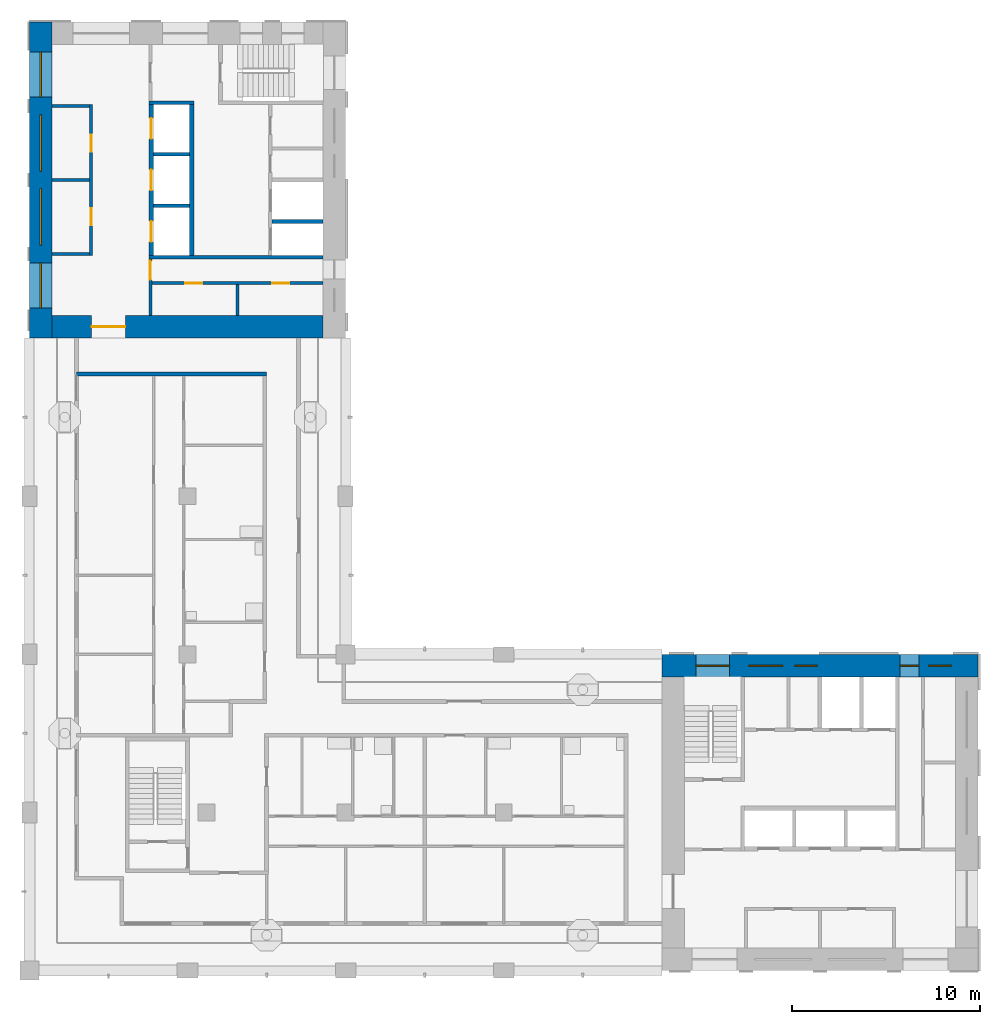
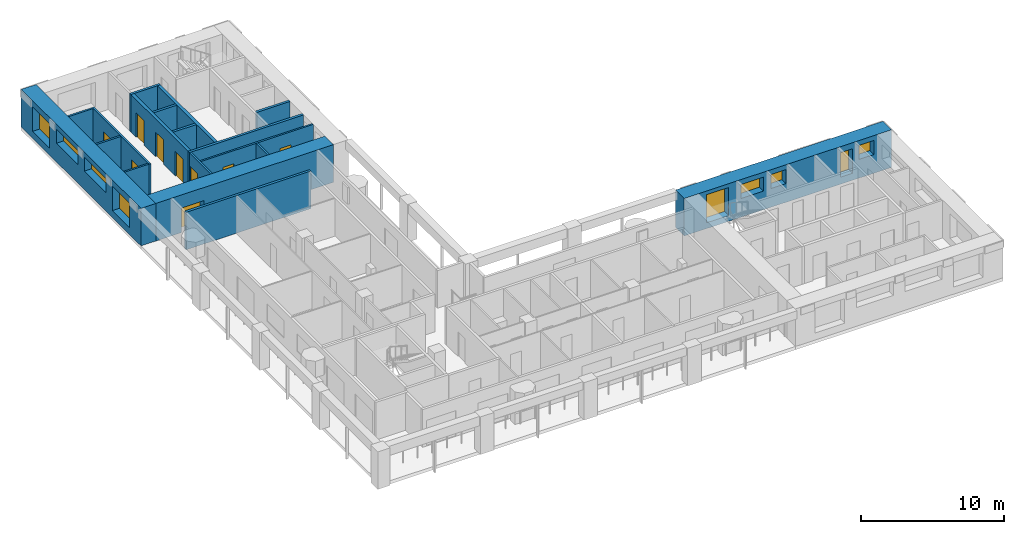
# One storey, part 5 of 11: 18 walls, 9 doors, 9 windows, 18 openings.
"""IFC4 building model written with IfcOpenShell, lengths in metres."""

from ifc_helpers import new_model, si_unit, direction, frame, frame_2d, origin, place, context, subcontext, project, spatial, rectangle, extrude, material, layer, layer_set, type_object, element, fill, save


model = new_model("IFC4")

# Units and contexts
model_context = context("Model", 3, precision=1e-05, world=origin(), true_north=direction((0.0, 1.0)))
body_context = subcontext(model_context, "Body", "Model", "MODEL_VIEW")
ifc_project = project(units=[si_unit("LENGTHUNIT", "METRE"), si_unit("AREAUNIT", "SQUARE_METRE"), si_unit("VOLUMEUNIT", "CUBIC_METRE"), si_unit("PLANEANGLEUNIT", "RADIAN"), si_unit("MASSUNIT", "GRAM", prefix="KILO")], contexts=[model_context])

# Site, building, storey
site_placement = place(None, origin())
site = spatial("IfcSite", under=ifc_project, at=site_placement, CompositionType="ELEMENT")
building_placement = place(site_placement, origin())
building = spatial("IfcBuilding", under=site, at=building_placement, Name="Vermilion Gate Residences", CompositionType="ELEMENT")
storey_placement = place(building_placement, frame((0.0, 0.0, 263.199951171875)))
storey = spatial("IfcBuildingStorey", under=building, at=storey_placement, Name="L69", CompositionType="ELEMENT", Elevation=263.199951171875)

# Walls
ifc_material_1 = material(Name="Masonry blockwork", Category="masonry")
ifc_layer_1 = layer(ifc_material_1, 0.14990234375)
ifc_layer_set_1 = layer_set([ifc_layer_1], Name="BLOCKWORK PARTITION 150 EI 120")
wall_type_1 = type_object("IfcWallType", Name="BLOCKWORK PARTITION 150 EI 120", PredefinedType="PARTITIONING", material=ifc_layer_set_1)
for number, where, z_axis, x_axis, name in (
    (1, (9.60009765625, 54.324951171875, 0.0), (0.0, 0.0, 1.0), (1.0, 0.0, 0.0), "Core room partition B69-RW-W"),
    (2, (9.60009765625, 46.47509765625, 0.0), (0.0, 0.0, 1.0), (1.0, 0.0, 0.0), "Core room partition B69-RW-E"),
    (3, (9.60009765625, 50.39990234375, 0.0), (0.0, 0.0, 1.0), (1.0, 0.0, 0.0), "Core room partition B69-SR-P0"),
):
    element("IfcWall", number, at=place(storey_placement, frame(where, z_axis=z_axis, x_axis=x_axis)), inside=storey, type_object=wall_type_1, Name=name, PredefinedType="PARTITIONING", context=body_context, shape_type="SweptSolid", body=[
        extrude(rectangle(XDim=2.0, YDim=0.14990234375, at=frame_2d((1.0, 0.0))), origin(), (0.0, 0.0, 1.0), 3.219970703125),
    ])

# Wall, openings, doors
wall_1_placement = place(storey_placement, frame((11.675048828125, 54.39990234375, 0.0), z_axis=(0.0, 0.0, 1.0), x_axis=(0.0, -1.0, 0.0)))
wall_1 = element("IfcWall", 4, at=wall_1_placement, inside=storey, type_object=wall_type_1, Name="Core room partition B69-LR-F", PredefinedType="PARTITIONING", context=body_context, shape_type="SweptSolid", body=[
    extrude(rectangle(XDim=8.0, YDim=0.14990234375, at=frame_2d((4.0, 0.0))), origin(), (0.0, 0.0, 1.0), 3.219970703125),
])
opening_1_placement = place(wall_1_placement, frame((1.58740234375, 0.0, 0.0)))
opening_1 = element("IfcOpeningElement", 5, at=opening_1_placement, cuts=wall_1, Name="Opening DK69102", PredefinedType="OPENING", context=body_context, shape_type="SweptSolid", body=[
    extrude(rectangle(XDim=0.89990234375, YDim=2.10009765625, at=frame_2d((0.449951171875, 1.050048828125))), frame((0.0, 0.0849609375, 0.0), z_axis=(0.0, -1.0, 0.0), x_axis=(1.0, 0.0, 0.0)), (0.0, 0.0, 1.0), 0.169921875),
])
opening_2_placement = place(wall_1_placement, frame((5.512451171875, 0.0, 0.0)))
opening_2 = element("IfcOpeningElement", 6, at=opening_2_placement, cuts=wall_1, Name="Opening DK69103", PredefinedType="OPENING", context=body_context, shape_type="SweptSolid", body=[
    extrude(rectangle(XDim=0.89990234375, YDim=2.10009765625, at=frame_2d((0.449951171875, 1.050048828125))), frame((0.0, 0.0849609375, 0.0), z_axis=(0.0, -1.0, 0.0), x_axis=(1.0, 0.0, 0.0)), (0.0, 0.0, 1.0), 0.169921875),
])
ifc_material_2 = material(Name="Steel", Category="steel")
door_type_1 = type_object("IfcDoorType", Name="SERVICE ROOM DOOR FD60 900 X 2100", OperationType="SINGLE_SWING_LEFT", PredefinedType="DOOR", material=ifc_material_2)
door_1_placement = place(opening_1_placement, frame((0.89990234375, 0.0, 0.0), z_axis=(0.0, 0.0, 1.0), x_axis=(-1.0, 0.0, 0.0)))
door_1 = element("IfcDoor", 7, at=door_1_placement, inside=storey, type_object=door_type_1, Name="Housekeeping store B69", OperationType="SINGLE_SWING_RIGHT", OverallHeight=2.10009765625, OverallWidth=0.89990234375, PredefinedType="DOOR", context=body_context, shape_type="SweptSolid", body=[
    extrude(rectangle(XDim=0.89990234375, YDim=2.10009765625, at=frame_2d((0.449951171875, 1.050048828125))), frame((0.0, 0.02490234375, 0.0), z_axis=(0.0, -1.0, 0.0), x_axis=(1.0, 0.0, 0.0)), (0.0, 0.0, 1.0), 0.050048828125),
])
fill(opening_1, door_1)
door_2_placement = place(opening_2_placement, frame((0.89990234375, 0.0, 0.0), z_axis=(0.0, 0.0, 1.0), x_axis=(-1.0, 0.0, 0.0)))
door_2 = element("IfcDoor", 8, at=door_2_placement, inside=storey, type_object=door_type_1, Name="Fire equipment store B69", OperationType="SINGLE_SWING_LEFT", OverallHeight=2.10009765625, OverallWidth=0.89990234375, PredefinedType="DOOR", context=body_context, shape_type="SweptSolid", body=[
    extrude(rectangle(XDim=0.89990234375, YDim=2.10009765625, at=frame_2d((0.449951171875, 1.050048828125))), frame((0.0, 0.02490234375, 0.0), z_axis=(0.0, -1.0, 0.0), x_axis=(1.0, 0.0, 0.0)), (0.0, 0.0, 1.0), 0.050048828125),
])
fill(opening_2, door_2)

# Wall, opening, door
wall_2_placement = place(storey_placement, frame((14.824951171875, 46.199951171875, 0.0), z_axis=(0.0, 0.0, 1.0), x_axis=(0.0, -1.0, 0.0)))
wall_2 = element("IfcWall", 9, at=wall_2_placement, inside=storey, type_object=wall_type_1, Name="Core room partition B69-ES-S", PredefinedType="PARTITIONING", context=body_context, shape_type="SweptSolid", body=[
    extrude(rectangle(XDim=3.0, YDim=0.14990234375, at=frame_2d((1.5, 0.0))), origin(), (0.0, 0.0, 1.0), 3.219970703125),
])
opening_3_placement = place(wall_2_placement, frame((0.10009765625, 0.0, 0.0)))
opening_3 = element("IfcOpeningElement", 10, at=opening_3_placement, cuts=wall_2, Name="Opening DK69113", PredefinedType="OPENING", context=body_context, shape_type="SweptSolid", body=[
    extrude(rectangle(XDim=1.0, YDim=2.10009765625, at=frame_2d((0.5, 1.050048828125))), frame((0.0, 0.0849609375, 0.0), z_axis=(0.0, -1.0, 0.0), x_axis=(1.0, 0.0, 0.0)), (0.0, 0.0, 1.0), 0.169921875),
])
ifc_material_3 = material(Name="Steel", Category="steel")
door_type_2 = type_object("IfcDoorType", Name="FIRE DOOR FD60 1000 X 2100", OperationType="SINGLE_SWING_LEFT", PredefinedType="DOOR", material=ifc_material_3)
door_3_placement = place(opening_3_placement, frame((1.0, 0.0, 0.0), z_axis=(0.0, 0.0, 1.0), x_axis=(-1.0, 0.0, 0.0)))
door_3 = element("IfcDoor", 11, at=door_3_placement, inside=storey, type_object=door_type_2, Name="Service corridor door B69", OperationType="SINGLE_SWING_LEFT", OverallHeight=2.10009765625, OverallWidth=1.0, PredefinedType="DOOR", context=body_context, shape_type="SweptSolid", body=[
    extrude(rectangle(XDim=1.0, YDim=2.10009765625, at=frame_2d((0.5, 1.050048828125))), frame((0.0, 0.02490234375, 0.0), z_axis=(0.0, -1.0, 0.0), x_axis=(1.0, 0.0, 0.0)), (0.0, 0.0, 1.0), 0.050048828125),
])
fill(opening_3, door_3)

# Wall
wall_3_placement = place(storey_placement, frame((19.449951171875, 44.85009765625, 0.0), z_axis=(0.0, 0.0, 1.0), x_axis=(0.0, -1.0, 0.0)))
element("IfcWall", 12, at=wall_3_placement, inside=storey, type_object=wall_type_1, Name="Core room partition B69-ES-P0", PredefinedType="PARTITIONING", context=body_context, shape_type="SweptSolid", body=[
    extrude(rectangle(XDim=1.650146484375, YDim=0.14990234375, at=frame_2d((0.8251953125, 0.0))), origin(), (0.0, 0.0, 1.0), 3.219970703125),
])

# Wall, openings, doors
wall_4_placement = place(storey_placement, frame((14.89990234375, 44.925048828125, 0.0), z_axis=(0.0, 0.0, 1.0), x_axis=(1.0, 0.0, 0.0)))
wall_4 = element("IfcWall", 13, at=wall_4_placement, inside=storey, type_object=wall_type_1, Name="Core room partition B69-ES-W", PredefinedType="PARTITIONING", context=body_context, shape_type="SweptSolid", body=[
    extrude(rectangle(XDim=9.10009765625, YDim=0.14990234375, at=frame_2d((4.550048828125, 0.0))), origin(), (0.0, 0.0, 1.0), 3.219970703125),
])
opening_4_placement = place(wall_4_placement, frame((1.78759765625, 0.0, 0.0)))
opening_4 = element("IfcOpeningElement", 14, at=opening_4_placement, cuts=wall_4, Name="Opening DK69114", PredefinedType="OPENING", context=body_context, shape_type="SweptSolid", body=[
    extrude(rectangle(XDim=0.89990234375, YDim=2.10009765625, at=frame_2d((0.449951171875, 1.050048828125))), frame((0.0, 0.0849609375, 0.0), z_axis=(0.0, -1.0, 0.0), x_axis=(1.0, 0.0, 0.0)), (0.0, 0.0, 1.0), 0.169921875),
])
opening_5_placement = place(wall_4_placement, frame((6.41259765625, 0.0, 0.0)))
opening_5 = element("IfcOpeningElement", 15, at=opening_5_placement, cuts=wall_4, Name="Opening DK69115", PredefinedType="OPENING", context=body_context, shape_type="SweptSolid", body=[
    extrude(rectangle(XDim=0.89990234375, YDim=2.10009765625, at=frame_2d((0.449951171875, 1.050048828125))), frame((0.0, 0.0849609375, 0.0), z_axis=(0.0, -1.0, 0.0), x_axis=(1.0, 0.0, 0.0)), (0.0, 0.0, 1.0), 0.169921875),
])
door_4_placement = place(opening_4_placement, frame((0.89990234375, 0.0, 0.0), z_axis=(0.0, 0.0, 1.0), x_axis=(-1.0, 0.0, 0.0)))
door_4 = element("IfcDoor", 16, at=door_4_placement, inside=storey, type_object=door_type_1, Name="Electrical room B69", OperationType="SINGLE_SWING_RIGHT", OverallHeight=2.10009765625, OverallWidth=0.89990234375, PredefinedType="DOOR", context=body_context, shape_type="SweptSolid", body=[
    extrude(rectangle(XDim=0.89990234375, YDim=2.10009765625, at=frame_2d((0.449951171875, 1.050048828125))), frame((0.0, 0.02490234375, 0.0), z_axis=(0.0, -1.0, 0.0), x_axis=(1.0, 0.0, 0.0)), (0.0, 0.0, 1.0), 0.050048828125),
])
fill(opening_4, door_4)
door_5_placement = place(opening_5_placement, frame((0.89990234375, 0.0, 0.0), z_axis=(0.0, 0.0, 1.0), x_axis=(-1.0, 0.0, 0.0)))
door_5 = element("IfcDoor", 17, at=door_5_placement, inside=storey, type_object=door_type_1, Name="Storage room B69", OperationType="SINGLE_SWING_RIGHT", OverallHeight=2.10009765625, OverallWidth=0.89990234375, PredefinedType="DOOR", context=body_context, shape_type="SweptSolid", body=[
    extrude(rectangle(XDim=0.89990234375, YDim=2.10009765625, at=frame_2d((0.449951171875, 1.050048828125))), frame((0.0, 0.02490234375, 0.0), z_axis=(0.0, -1.0, 0.0), x_axis=(1.0, 0.0, 0.0)), (0.0, 0.0, 1.0), 0.050048828125),
])
fill(opening_5, door_5)

# Walls
ifc_material_4 = material(Name="Fire-rated plasterboard on steel studs", Category="steel")
ifc_layer_2 = layer(ifc_material_4, 0.199951171875)
ifc_layer_set_2 = layer_set([ifc_layer_2], Name="PARTY WALL 200 EI 120")
wall_type_2 = type_object("IfcWallType", Name="PARTY WALL 200 EI 120", PredefinedType="PARTITIONING", material=ifc_layer_set_2)
wall_5_placement = place(storey_placement, frame((10.89990234375, 40.10009765625, 0.0), z_axis=(0.0, 0.0, 1.0), x_axis=(1.0, 0.0, 0.0)))
element("IfcWall", 18, at=wall_5_placement, inside=storey, type_object=wall_type_2, Name="Party and corridor wall", PredefinedType="PARTITIONING", context=body_context, shape_type="SweptSolid", body=[
    extrude(rectangle(XDim=10.10009765625, YDim=0.199951171875, at=frame_2d((5.050048828125, 0.0))), origin(), (0.0, 0.0, 1.0), 3.219970703125),
])
ifc_material_5 = material(Name="Concrete C60", Category="concrete")
ifc_layer_3 = layer(ifc_material_5, 0.199951171875)
ifc_layer_set_3 = layer_set([ifc_layer_3], Name="RC CORE INTERNAL WALL 200 C60")
wall_type_3 = type_object("IfcWallType", Name="RC CORE INTERNAL WALL 200 C60", PredefinedType="SHEAR", material=ifc_layer_set_3)
for number, where, z_axis, x_axis, name in (
    (19, (15.0, 51.7666015625, 0.0), (0.0, 0.0, 1.0), (1.0, 0.0, 0.0), "Core internal wall B69-HR-D1"),
    (20, (15.0, 49.033447265625, 0.0), (0.0, 0.0, 1.0), (1.0, 0.0, 0.0), "Core internal wall B69-HR-D2"),
):
    element("IfcWall", number, at=place(storey_placement, frame(where, z_axis=z_axis, x_axis=x_axis)), inside=storey, type_object=wall_type_3, Name=name, PredefinedType="SHEAR", context=body_context, shape_type="SweptSolid", body=[
        extrude(rectangle(XDim=1.89990234375, YDim=0.199951171875, at=frame_2d((0.949951171875, 0.0))), origin(), (0.0, 0.0, 1.0), 3.219970703125),
    ])
wall_6_placement = place(storey_placement, frame((21.300048828125, 48.199951171875, 0.0), z_axis=(0.0, 0.0, 1.0), x_axis=(1.0, 0.0, 0.0)))
element("IfcWall", 21, at=wall_6_placement, inside=storey, type_object=wall_type_3, Name="Core internal wall B69-FF-D1", PredefinedType="SHEAR", context=body_context, shape_type="SweptSolid", body=[
    extrude(rectangle(XDim=2.699951171875, YDim=0.199951171875, at=frame_2d((1.35009765625, 0.0))), origin(), (0.0, 0.0, 1.0), 3.219970703125),
])
wall_7_placement = place(storey_placement, frame((14.75, 54.5, 0.0), z_axis=(0.0, 0.0, 1.0), x_axis=(1.0, 0.0, 0.0)))
element("IfcWall", 22, at=wall_7_placement, inside=storey, type_object=wall_type_3, Name="Core internal wall B69-WDIV1", PredefinedType="SHEAR", context=body_context, shape_type="SweptSolid", body=[
    extrude(rectangle(XDim=2.39990234375, YDim=0.199951171875, at=frame_2d((1.199951171875, 0.0))), origin(), (0.0, 0.0, 1.0), 3.219970703125),
])
wall_8_placement = place(storey_placement, frame((14.75, 46.300048828125, 0.0), z_axis=(0.0, 0.0, 1.0), x_axis=(1.0, 0.0, 0.0)))
element("IfcWall", 23, at=wall_8_placement, inside=storey, type_object=wall_type_3, Name="Core internal wall B69-EDIV", PredefinedType="SHEAR", context=body_context, shape_type="SweptSolid", body=[
    extrude(rectangle(XDim=9.25, YDim=0.199951171875, at=frame_2d((4.625, 0.0))), origin(), (0.0, 0.0, 1.0), 3.219970703125),
])

# Wall, opening, door
ifc_material_6 = material(Name="Concrete C50", Category="concrete")
ifc_layer_4 = layer(ifc_material_6, 1.199951171875)
ifc_layer_set_4 = layer_set([ifc_layer_4], Name="RC CORE WALL 1200 C50")
wall_type_4 = type_object("IfcWallType", Name="RC CORE WALL 1200 C50", PredefinedType="SHEAR", material=ifc_layer_set_4)
wall_9_placement = place(storey_placement, frame((9.60009765625, 42.60009765625, 0.0), z_axis=(0.0, 0.0, 1.0), x_axis=(1.0, 0.0, 0.0)))
wall_9 = element("IfcWall", 24, at=wall_9_placement, inside=storey, type_object=wall_type_4, Name="Core wall B69-OUT-BK", PredefinedType="SHEAR", context=body_context, shape_type="SweptSolid", body=[
    extrude(rectangle(XDim=14.39990234375, YDim=1.199951171875, at=frame_2d((7.199951171875, 0.0))), origin(), (0.0, 0.0, 1.0), 3.219970703125),
])
opening_6_placement = place(wall_9_placement, frame((2.10009765625, 0.0, 0.0)))
opening_6 = element("IfcOpeningElement", 25, at=opening_6_placement, cuts=wall_9, Name="Opening DK69101", PredefinedType="OPENING", context=body_context, shape_type="SweptSolid", body=[
    extrude(rectangle(XDim=1.800048828125, YDim=2.10009765625, at=frame_2d((0.89990234375, 1.050048828125))), frame((0.0, 0.60986328125, 0.0), z_axis=(0.0, -1.0, 0.0), x_axis=(1.0, 0.0, 0.0)), (0.0, 0.0, 1.0), 1.219970703125),
])
ifc_material_7 = material(Name="Steel", Category="steel")
door_type_3 = type_object("IfcDoorType", Name="CORE LOBBY DOOR FD60 1800 X 2100", OperationType="DOUBLE_DOOR_SINGLE_SWING", PredefinedType="DOOR", material=ifc_material_7)
door_6_placement = place(opening_6_placement, frame((1.800048828125, 0.0, 0.0), z_axis=(0.0, 0.0, 1.0), x_axis=(-1.0, 0.0, 0.0)))
door_6 = element("IfcDoor", 26, at=door_6_placement, inside=storey, type_object=door_type_3, Name="Core lobby door B69", OperationType="DOUBLE_DOOR_SINGLE_SWING", OverallHeight=2.10009765625, OverallWidth=1.800048828125, PredefinedType="DOOR", context=body_context, shape_type="SweptSolid", body=[
    extrude(rectangle(XDim=1.800048828125, YDim=2.10009765625, at=frame_2d((0.89990234375, 1.050048828125))), frame((0.0, 0.02490234375, 0.0), z_axis=(0.0, -1.0, 0.0), x_axis=(1.0, 0.0, 0.0)), (0.0, 0.0, 1.0), 0.050048828125),
])
fill(opening_6, door_6)

# Wall, openings, windows
ifc_material_8 = material(Name="Concrete C50 red-oxide pigmented", Category="concrete")
ifc_layer_5 = layer(ifc_material_8, 1.199951171875)
ifc_layer_set_5 = layer_set([ifc_layer_5], Name="RC CORE WALL 1200 C50 RED OXIDE")
wall_type_5 = type_object("IfcWallType", Name="RC CORE WALL 1200 C50 RED OXIDE", PredefinedType="SHEAR", material=ifc_layer_set_5)
wall_10_placement = place(storey_placement, frame((42.0, 24.60009765625, 0.0), z_axis=(0.0, 0.0, 1.0), x_axis=(1.0, 0.0, 0.0)))
wall_10 = element("IfcWall", 27, at=wall_10_placement, inside=storey, type_object=wall_type_5, Name="Core wall A69-OUT-B1", PredefinedType="SHEAR", context=body_context, shape_type="SweptSolid", body=[
    extrude(rectangle(XDim=16.800048828125, YDim=1.199951171875, at=frame_2d((8.39990234375, 0.0))), origin(), (0.0, 0.0, 1.0), 3.219970703125),
])
opening_7_placement = place(wall_10_placement, frame((1.800048828125, 0.0, 0.5)))
opening_7 = element("IfcOpeningElement", 28, at=opening_7_placement, cuts=wall_10, Name="Opening WKA6905", PredefinedType="OPENING", context=body_context, shape_type="SweptSolid", body=[
    extrude(rectangle(XDim=1.800048828125, YDim=2.39990234375, at=frame_2d((0.89990234375, 1.199951171875))), frame((0.0, 0.60986328125, 0.0), z_axis=(0.0, -1.0, 0.0), x_axis=(1.0, 0.0, 0.0)), (0.0, 0.0, 1.0), 1.219970703125),
])
opening_8_placement = place(wall_10_placement, frame((4.625, 0.0, 1.60009765625)))
opening_8 = element("IfcOpeningElement", 29, at=opening_8_placement, cuts=wall_10, Name="Opening WKA6906", PredefinedType="OPENING", context=body_context, shape_type="SweptSolid", body=[
    extrude(rectangle(XDim=1.800048828125, YDim=1.199951171875, at=frame_2d((0.89990234375, 0.60009765625))), frame((0.0, 0.60986328125, 0.0), z_axis=(0.0, -1.0, 0.0), x_axis=(1.0, 0.0, 0.0)), (0.0, 0.0, 1.0), 1.219970703125),
])
opening_9_placement = place(wall_10_placement, frame((7.050048828125, 0.0, 1.60009765625)))
opening_9 = element("IfcOpeningElement", 30, at=opening_9_placement, cuts=wall_10, Name="Opening WKA6907", PredefinedType="OPENING", context=body_context, shape_type="SweptSolid", body=[
    extrude(rectangle(XDim=1.199951171875, YDim=1.199951171875, at=frame_2d((0.60009765625, 0.60009765625))), frame((0.0, 0.60986328125, 0.0), z_axis=(0.0, -1.0, 0.0), x_axis=(1.0, 0.0, 0.0)), (0.0, 0.0, 1.0), 1.219970703125),
])
opening_10_placement = place(wall_10_placement, frame((12.64990234375, 0.0, 0.60009765625)))
opening_10 = element("IfcOpeningElement", 31, at=opening_10_placement, cuts=wall_10, Name="Opening WKA6908", PredefinedType="OPENING", context=body_context, shape_type="SweptSolid", body=[
    extrude(rectangle(XDim=1.0, YDim=2.10009765625, at=frame_2d((0.5, 1.050048828125))), frame((0.0, 0.60986328125, 0.0), z_axis=(0.0, -1.0, 0.0), x_axis=(1.0, 0.0, 0.0)), (0.0, 0.0, 1.0), 1.219970703125),
])
opening_11_placement = place(wall_10_placement, frame((14.175048828125, 0.0, 1.60009765625)))
opening_11 = element("IfcOpeningElement", 32, at=opening_11_placement, cuts=wall_10, Name="Opening WKA6909", PredefinedType="OPENING", context=body_context, shape_type="SweptSolid", body=[
    extrude(rectangle(XDim=1.199951171875, YDim=1.199951171875, at=frame_2d((0.60009765625, 0.60009765625))), frame((0.0, 0.60986328125, 0.0), z_axis=(0.0, -1.0, 0.0), x_axis=(1.0, 0.0, 0.0)), (0.0, 0.0, 1.0), 1.219970703125),
])
ifc_material_9 = material(Name="Aluminium and clear glass", Category="aluminium")
window_type_1 = type_object("IfcWindowType", Name="CORE CORRIDOR WINDOW 1000 X 2100", PartitioningType="SINGLE_PANEL", PredefinedType="WINDOW", material=ifc_material_9)
window_1_placement = place(opening_10_placement, origin())
window_1 = element("IfcWindow", 33, at=window_1_placement, inside=storey, type_object=window_type_1, Name="Core corridor window", OverallHeight=2.10009765625, OverallWidth=1.0, PartitioningType="SINGLE_PANEL", PredefinedType="WINDOW", context=body_context, shape_type="SweptSolid", body=[
    extrude(rectangle(XDim=1.0, YDim=2.10009765625, at=frame_2d((0.5, 1.050048828125))), frame((0.0, 0.030029296875, 0.0), z_axis=(0.0, -1.0, 0.0), x_axis=(1.0, 0.0, 0.0)), (0.0, 0.0, 1.0), 0.06005859375),
])
fill(opening_10, window_1)
ifc_material_10 = material(Name="Aluminium frame with louvre blades", Category="aluminium")
window_type_2 = type_object("IfcWindowType", Name="CORE LOUVRE 1200 X 1200", PartitioningType="SINGLE_PANEL", PredefinedType="WINDOW", material=ifc_material_10)
window_2_placement = place(opening_9_placement, origin())
window_2 = element("IfcWindow", 34, at=window_2_placement, inside=storey, type_object=window_type_2, Name="Core louvre", OverallHeight=1.199951171875, OverallWidth=1.199951171875, PartitioningType="SINGLE_PANEL", PredefinedType="WINDOW", context=body_context, shape_type="SweptSolid", body=[
    extrude(rectangle(XDim=1.199951171875, YDim=1.199951171875, at=frame_2d((0.60009765625, 0.60009765625))), frame((0.0, 0.030029296875, 0.0), z_axis=(0.0, -1.0, 0.0), x_axis=(1.0, 0.0, 0.0)), (0.0, 0.0, 1.0), 0.06005859375),
])
fill(opening_9, window_2)
window_3_placement = place(opening_11_placement, origin())
window_3 = element("IfcWindow", 35, at=window_3_placement, inside=storey, type_object=window_type_2, Name="Core louvre", OverallHeight=1.199951171875, OverallWidth=1.199951171875, PartitioningType="SINGLE_PANEL", PredefinedType="WINDOW", context=body_context, shape_type="SweptSolid", body=[
    extrude(rectangle(XDim=1.199951171875, YDim=1.199951171875, at=frame_2d((0.60009765625, 0.60009765625))), frame((0.0, 0.030029296875, 0.0), z_axis=(0.0, -1.0, 0.0), x_axis=(1.0, 0.0, 0.0)), (0.0, 0.0, 1.0), 0.06005859375),
])
fill(opening_11, window_3)
ifc_material_11 = material(Name="Aluminium frame with louvre blades", Category="aluminium")
window_type_3 = type_object("IfcWindowType", Name="CORE LOUVRE 1800 X 1200", PartitioningType="SINGLE_PANEL", PredefinedType="WINDOW", material=ifc_material_11)
window_4_placement = place(opening_8_placement, origin())
window_4 = element("IfcWindow", 36, at=window_4_placement, inside=storey, type_object=window_type_3, Name="Core louvre", OverallHeight=1.199951171875, OverallWidth=1.800048828125, PartitioningType="SINGLE_PANEL", PredefinedType="WINDOW", context=body_context, shape_type="SweptSolid", body=[
    extrude(rectangle(XDim=1.800048828125, YDim=1.199951171875, at=frame_2d((0.89990234375, 0.60009765625))), frame((0.0, 0.030029296875, 0.0), z_axis=(0.0, -1.0, 0.0), x_axis=(1.0, 0.0, 0.0)), (0.0, 0.0, 1.0), 0.06005859375),
])
fill(opening_8, window_4)
ifc_material_12 = material(Name="Aluminium and clear glass", Category="aluminium")
window_type_4 = type_object("IfcWindowType", Name="CORE STAIR WINDOW 1800 X 2400", PartitioningType="SINGLE_PANEL", PredefinedType="WINDOW", material=ifc_material_12)
window_5_placement = place(opening_7_placement, origin())
window_5 = element("IfcWindow", 37, at=window_5_placement, inside=storey, type_object=window_type_4, Name="Core stair window", OverallHeight=2.39990234375, OverallWidth=1.800048828125, PartitioningType="SINGLE_PANEL", PredefinedType="WINDOW", context=body_context, shape_type="SweptSolid", body=[
    extrude(rectangle(XDim=1.800048828125, YDim=2.39990234375, at=frame_2d((0.89990234375, 1.199951171875))), frame((0.0, 0.030029296875, 0.0), z_axis=(0.0, -1.0, 0.0), x_axis=(1.0, 0.0, 0.0)), (0.0, 0.0, 1.0), 0.06005859375),
])
fill(opening_7, window_5)

wall_11_placement = place(storey_placement, frame((9.0, 58.800048828125, 0.0), z_axis=(0.0, 0.0, 1.0), x_axis=(0.0, -1.0, 0.0)))
wall_11 = element("IfcWall", 38, at=wall_11_placement, inside=storey, type_object=wall_type_5, Name="Core wall B69-OUT-B0", PredefinedType="SHEAR", context=body_context, shape_type="SweptSolid", body=[
    extrude(rectangle(XDim=16.800048828125, YDim=1.199951171875, at=frame_2d((8.39990234375, 0.0))), origin(), (0.0, 0.0, 1.0), 3.219970703125),
])
opening_12_placement = place(wall_11_placement, frame((1.60009765625, 0.0, 0.60009765625)))
opening_12 = element("IfcOpeningElement", 39, at=opening_12_placement, cuts=wall_11, Name="Opening WKB6901", PredefinedType="OPENING", context=body_context, shape_type="SweptSolid", body=[
    extrude(rectangle(XDim=2.39990234375, YDim=2.10009765625, at=frame_2d((1.199951171875, 1.050048828125))), frame((0.0, 0.60986328125, 0.0), z_axis=(0.0, -1.0, 0.0), x_axis=(1.0, 0.0, 0.0)), (0.0, 0.0, 1.0), 1.219970703125),
])
opening_13_placement = place(wall_11_placement, frame((4.9375, 0.0, 1.60009765625)))
opening_13 = element("IfcOpeningElement", 40, at=opening_13_placement, cuts=wall_11, Name="Opening WKB6902", PredefinedType="OPENING", context=body_context, shape_type="SweptSolid", body=[
    extrude(rectangle(XDim=3.0, YDim=1.199951171875, at=frame_2d((1.5, 0.60009765625))), frame((0.0, 0.60986328125, 0.0), z_axis=(0.0, -1.0, 0.0), x_axis=(1.0, 0.0, 0.0)), (0.0, 0.0, 1.0), 1.219970703125),
])
opening_14_placement = place(wall_11_placement, frame((8.862548828125, 0.0, 1.60009765625)))
opening_14 = element("IfcOpeningElement", 41, at=opening_14_placement, cuts=wall_11, Name="Opening WKB6903", PredefinedType="OPENING", context=body_context, shape_type="SweptSolid", body=[
    extrude(rectangle(XDim=3.0, YDim=1.199951171875, at=frame_2d((1.5, 0.60009765625))), frame((0.0, 0.60986328125, 0.0), z_axis=(0.0, -1.0, 0.0), x_axis=(1.0, 0.0, 0.0)), (0.0, 0.0, 1.0), 1.219970703125),
])
opening_15_placement = place(wall_11_placement, frame((12.800048828125, 0.0, 0.60009765625)))
opening_15 = element("IfcOpeningElement", 42, at=opening_15_placement, cuts=wall_11, Name="Opening WKB6904", PredefinedType="OPENING", context=body_context, shape_type="SweptSolid", body=[
    extrude(rectangle(XDim=2.39990234375, YDim=2.10009765625, at=frame_2d((1.199951171875, 1.050048828125))), frame((0.0, 0.60986328125, 0.0), z_axis=(0.0, -1.0, 0.0), x_axis=(1.0, 0.0, 0.0)), (0.0, 0.0, 1.0), 1.219970703125),
])
ifc_material_13 = material(Name="Aluminium and clear glass", Category="aluminium")
window_type_5 = type_object("IfcWindowType", Name="CORE LOBBY WINDOW 2400 X 2100", PartitioningType="SINGLE_PANEL", PredefinedType="WINDOW", material=ifc_material_13)
window_6_placement = place(opening_12_placement, origin())
window_6 = element("IfcWindow", 43, at=window_6_placement, inside=storey, type_object=window_type_5, Name="Core lobby window", OverallHeight=2.10009765625, OverallWidth=2.39990234375, PartitioningType="SINGLE_PANEL", PredefinedType="WINDOW", context=body_context, shape_type="SweptSolid", body=[
    extrude(rectangle(XDim=2.39990234375, YDim=2.10009765625, at=frame_2d((1.199951171875, 1.050048828125))), frame((0.0, 0.030029296875, 0.0), z_axis=(0.0, -1.0, 0.0), x_axis=(1.0, 0.0, 0.0)), (0.0, 0.0, 1.0), 0.06005859375),
])
fill(opening_12, window_6)
window_7_placement = place(opening_15_placement, origin())
window_7 = element("IfcWindow", 44, at=window_7_placement, inside=storey, type_object=window_type_5, Name="Core lobby window", OverallHeight=2.10009765625, OverallWidth=2.39990234375, PartitioningType="SINGLE_PANEL", PredefinedType="WINDOW", context=body_context, shape_type="SweptSolid", body=[
    extrude(rectangle(XDim=2.39990234375, YDim=2.10009765625, at=frame_2d((1.199951171875, 1.050048828125))), frame((0.0, 0.030029296875, 0.0), z_axis=(0.0, -1.0, 0.0), x_axis=(1.0, 0.0, 0.0)), (0.0, 0.0, 1.0), 0.06005859375),
])
fill(opening_15, window_7)
ifc_material_14 = material(Name="Aluminium frame with louvre blades", Category="aluminium")
window_type_6 = type_object("IfcWindowType", Name="CORE LOUVRE 3000 X 1200", PartitioningType="SINGLE_PANEL", PredefinedType="WINDOW", material=ifc_material_14)
window_8_placement = place(opening_13_placement, origin())
window_8 = element("IfcWindow", 45, at=window_8_placement, inside=storey, type_object=window_type_6, Name="Core louvre", OverallHeight=1.199951171875, OverallWidth=3.0, PartitioningType="SINGLE_PANEL", PredefinedType="WINDOW", context=body_context, shape_type="SweptSolid", body=[
    extrude(rectangle(XDim=3.0, YDim=1.199951171875, at=frame_2d((1.5, 0.60009765625))), frame((0.0, 0.030029296875, 0.0), z_axis=(0.0, -1.0, 0.0), x_axis=(1.0, 0.0, 0.0)), (0.0, 0.0, 1.0), 0.06005859375),
])
fill(opening_13, window_8)
window_9_placement = place(opening_14_placement, origin())
window_9 = element("IfcWindow", 46, at=window_9_placement, inside=storey, type_object=window_type_6, Name="Core louvre", OverallHeight=1.199951171875, OverallWidth=3.0, PartitioningType="SINGLE_PANEL", PredefinedType="WINDOW", context=body_context, shape_type="SweptSolid", body=[
    extrude(rectangle(XDim=3.0, YDim=1.199951171875, at=frame_2d((1.5, 0.60009765625))), frame((0.0, 0.030029296875, 0.0), z_axis=(0.0, -1.0, 0.0), x_axis=(1.0, 0.0, 0.0)), (0.0, 0.0, 1.0), 0.06005859375),
])
fill(opening_14, window_9)

# Wall, openings, doors
ifc_material_15 = material(Name="Concrete C60", Category="concrete")
ifc_layer_6 = layer(ifc_material_15, 0.25)
ifc_layer_set_6 = layer_set([ifc_layer_6], Name="RC LIFT SHAFT WALL 250 C60")
wall_type_6 = type_object("IfcWallType", Name="RC LIFT SHAFT WALL 250 C60", PredefinedType="SHEAR", material=ifc_layer_set_6)
wall_12_placement = place(storey_placement, frame((14.875, 54.39990234375, 0.0), z_axis=(0.0, 0.0, 1.0), x_axis=(0.0, -1.0, 0.0)))
wall_12 = element("IfcWall", 47, at=wall_12_placement, inside=storey, type_object=wall_type_6, Name="Lift shaft wall B69-HR-F", PredefinedType="SHEAR", context=body_context, shape_type="SweptSolid", body=[
    extrude(rectangle(XDim=8.0, YDim=0.25, at=frame_2d((4.0, 0.0))), origin(), (0.0, 0.0, 1.0), 3.219970703125),
])
opening_16_placement = place(wall_12_placement, frame((0.716552734375, 0.0, 0.0)))
opening_16 = element("IfcOpeningElement", 48, at=opening_16_placement, cuts=wall_12, Name="Opening LD", PredefinedType="OPENING", context=body_context, shape_type="SweptSolid", body=[
    extrude(rectangle(XDim=1.10009765625, YDim=2.10009765625, at=frame_2d((0.550048828125, 1.050048828125))), frame((0.0, 0.135009765625, 0.0), z_axis=(0.0, -1.0, 0.0), x_axis=(1.0, 0.0, 0.0)), (0.0, 0.0, 1.0), 0.27001953125),
])
opening_17_placement = place(wall_12_placement, frame((3.449951171875, 0.0, 0.0)))
opening_17 = element("IfcOpeningElement", 49, at=opening_17_placement, cuts=wall_12, Name="Opening LD", PredefinedType="OPENING", context=body_context, shape_type="SweptSolid", body=[
    extrude(rectangle(XDim=1.10009765625, YDim=2.10009765625, at=frame_2d((0.550048828125, 1.050048828125))), frame((0.0, 0.135009765625, 0.0), z_axis=(0.0, -1.0, 0.0), x_axis=(1.0, 0.0, 0.0)), (0.0, 0.0, 1.0), 0.27001953125),
])
opening_18_placement = place(wall_12_placement, frame((6.183349609375, 0.0, 0.0)))
opening_18 = element("IfcOpeningElement", 50, at=opening_18_placement, cuts=wall_12, Name="Opening LD", PredefinedType="OPENING", context=body_context, shape_type="SweptSolid", body=[
    extrude(rectangle(XDim=1.10009765625, YDim=2.10009765625, at=frame_2d((0.550048828125, 1.050048828125))), frame((0.0, 0.135009765625, 0.0), z_axis=(0.0, -1.0, 0.0), x_axis=(1.0, 0.0, 0.0)), (0.0, 0.0, 1.0), 0.27001953125),
])
ifc_material_16 = material(Name="Stainless steel", Category="steel")
door_type_4 = type_object("IfcDoorType", Name="LIFT LANDING DOOR E60 1100 X 2100", OperationType="DOUBLE_DOOR_SLIDING", PredefinedType="DOOR", material=ifc_material_16)
door_7_placement = place(opening_16_placement, origin())
door_7 = element("IfcDoor", 51, at=door_7_placement, inside=storey, type_object=door_type_4, Name="Lift landing door HRB1", OperationType="DOUBLE_DOOR_SLIDING", OverallHeight=2.10009765625, OverallWidth=1.10009765625, PredefinedType="DOOR", context=body_context, shape_type="SweptSolid", body=[
    extrude(rectangle(XDim=1.10009765625, YDim=2.10009765625, at=frame_2d((0.550048828125, 1.050048828125))), frame((0.0, 0.02490234375, 0.0), z_axis=(0.0, -1.0, 0.0), x_axis=(1.0, 0.0, 0.0)), (0.0, 0.0, 1.0), 0.050048828125),
])
fill(opening_16, door_7)
door_8_placement = place(opening_17_placement, origin())
door_8 = element("IfcDoor", 52, at=door_8_placement, inside=storey, type_object=door_type_4, Name="Lift landing door HRB2", OperationType="DOUBLE_DOOR_SLIDING", OverallHeight=2.10009765625, OverallWidth=1.10009765625, PredefinedType="DOOR", context=body_context, shape_type="SweptSolid", body=[
    extrude(rectangle(XDim=1.10009765625, YDim=2.10009765625, at=frame_2d((0.550048828125, 1.050048828125))), frame((0.0, 0.02490234375, 0.0), z_axis=(0.0, -1.0, 0.0), x_axis=(1.0, 0.0, 0.0)), (0.0, 0.0, 1.0), 0.050048828125),
])
fill(opening_17, door_8)
door_9_placement = place(opening_18_placement, origin())
door_9 = element("IfcDoor", 53, at=door_9_placement, inside=storey, type_object=door_type_4, Name="Lift landing door HRB3", OperationType="DOUBLE_DOOR_SLIDING", OverallHeight=2.10009765625, OverallWidth=1.10009765625, PredefinedType="DOOR", context=body_context, shape_type="SweptSolid", body=[
    extrude(rectangle(XDim=1.10009765625, YDim=2.10009765625, at=frame_2d((0.550048828125, 1.050048828125))), frame((0.0, 0.02490234375, 0.0), z_axis=(0.0, -1.0, 0.0), x_axis=(1.0, 0.0, 0.0)), (0.0, 0.0, 1.0), 0.050048828125),
])
fill(opening_18, door_9)

# Wall
wall_13_placement = place(storey_placement, frame((17.02490234375, 54.39990234375, 0.0), z_axis=(0.0, 0.0, 1.0), x_axis=(0.0, -1.0, 0.0)))
element("IfcWall", 54, at=wall_13_placement, inside=storey, type_object=wall_type_6, Name="Lift shaft wall B69-HR-B", PredefinedType="SHEAR", context=body_context, shape_type="SweptSolid", body=[
    extrude(rectangle(XDim=8.0, YDim=0.25, at=frame_2d((4.0, 0.0))), origin(), (0.0, 0.0, 1.0), 3.219970703125),
])

save(model, "model.ifc")
